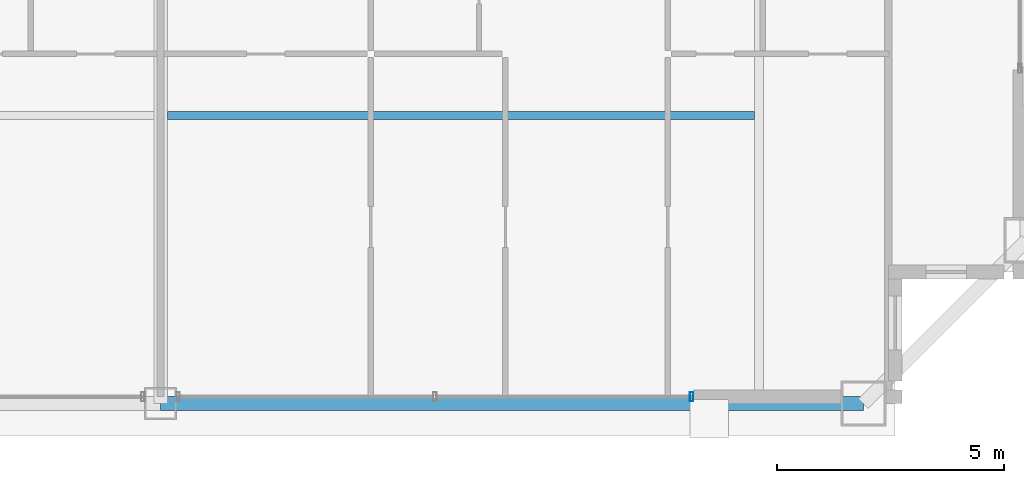
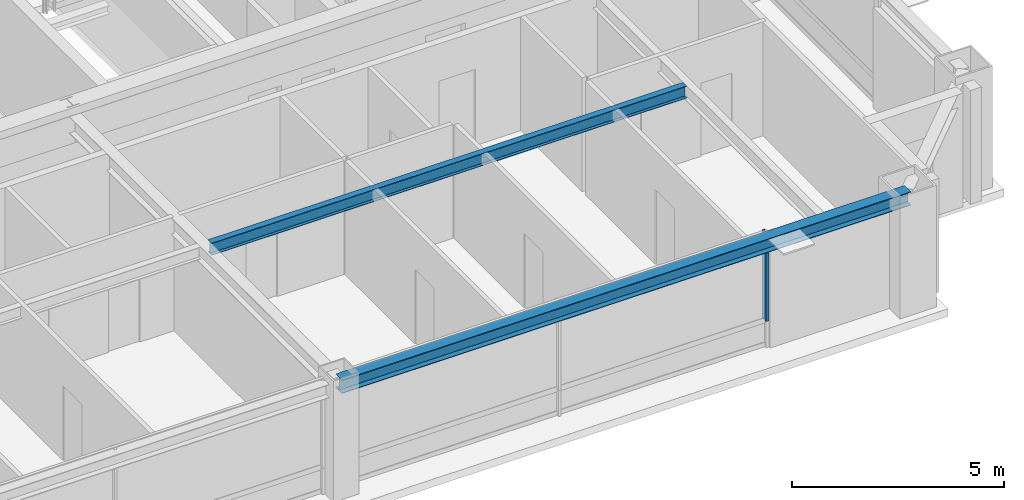
# One storey, part 9 of 34: 2 beams, 1 member, 1 element without a shape of its own.
"""IFC4 building model written with IfcOpenShell, lengths in metres."""

from ifc_helpers import new_model, si_unit, direction, frame, origin, origin_2d, place, context, subcontext, project, spatial, hollow_rectangle, i_section, extrude, source, transform, mapped, material, layer, layer_set, material_profile, profile_set, type_object, element, aggregate, save


model = new_model("IFC4")

# Units and contexts
model_context = context("Model", 3, precision=1e-05, world=origin(), true_north=direction((0.0, 1.0)))
body_context = subcontext(model_context, "Body", "Model", "MODEL_VIEW")
ifc_project = project(units=[si_unit("LENGTHUNIT", "METRE"), si_unit("AREAUNIT", "SQUARE_METRE"), si_unit("VOLUMEUNIT", "CUBIC_METRE"), si_unit("PLANEANGLEUNIT", "RADIAN"), si_unit("MASSUNIT", "GRAM", prefix="KILO"), si_unit("THERMODYNAMICTEMPERATUREUNIT", "KELVIN"), si_unit("POWERUNIT", "WATT")], contexts=[model_context])

# Site, building, storey
site_placement = place(None, origin())
site = spatial("IfcSite", under=ifc_project, at=site_placement, CompositionType="ELEMENT")
building_placement = place(site_placement, origin())
building = spatial("IfcBuilding", under=site, at=building_placement, Name="Yuzanri Waterfront Tower", CompositionType="ELEMENT")
storey_placement = place(building_placement, frame((0.0, 0.0, 325.199951171875)))
storey = spatial("IfcBuildingStorey", under=building, at=storey_placement, Name="L87", CompositionType="ELEMENT", Elevation=325.199951171875)

# Beams
ifc_material_1 = material(Name="Steel Q355B", Category="steel")
ifc_material_profile_1 = material_profile(ifc_material_1, i_section(OverallWidth=0.175048828125, OverallDepth=0.35009765625, WebThickness=0.007080078125, FlangeThickness=0.010986328125, at=origin_2d()), Name="HN 350x175x7x11")
ifc_profile_set_1 = profile_set([ifc_material_profile_1], Name="Steel Q355B")
beam_type_1 = type_object("IfcBeamType", Name="Floor Joist Q355B HN 350x175", PredefinedType="JOIST", material=ifc_profile_set_1)
shared_shape_1 = source(origin(), body_context, "Body", "SweptSolid", [
    extrude(i_section(OverallWidth=0.175048828125, OverallDepth=0.35009765625, WebThickness=0.007080078125, FlangeThickness=0.010986328125, at=origin_2d()), origin(), (0.0, 0.0, 1.0), 12.9501953125),
])
beam_1_placement = place(storey_placement, frame((37.14990234375, 13.050048828125, 3.10498046875), z_axis=(1.0, 0.0, 0.0), x_axis=(0.0, 1.0, 0.0)))
element("IfcBeam", 1, at=beam_1_placement, inside=storey, type_object=beam_type_1, Name="L87 South Bay Joist E", PredefinedType="JOIST", context=body_context, shape_type="MappedRepresentation", body=[
    mapped(shared_shape_1, transform((0.0, 0.0, 0.0), scale=1.0)),
])
ifc_material_2 = material(Name="Steel Q355B", Category="steel")
ifc_material_profile_2 = material_profile(ifc_material_2, i_section(OverallWidth=0.300048828125, OverallDepth=0.389892578125, WebThickness=0.010009765625, FlangeThickness=0.01611328125, at=origin_2d()), Name="HM 390x300x10x16")
ifc_profile_set_2 = profile_set([ifc_material_profile_2], Name="Steel Q355B")
beam_type_2 = type_object("IfcBeamType", Name="Perimeter Spandrel Q355B HM 390x300", PredefinedType="SPANDREL", material=ifc_profile_set_2)
shared_shape_2 = source(origin(), body_context, "Body", "SweptSolid", [
    extrude(i_section(OverallWidth=0.300048828125, OverallDepth=0.389892578125, WebThickness=0.010009765625, FlangeThickness=0.01611328125, at=origin_2d()), origin(), (0.0, 0.0, 1.0), 15.5),
])
beam_2_placement = place(storey_placement, frame((37.0, 6.699951171875, 3.0849609375), z_axis=(1.0, 0.0, 0.0), x_axis=(0.0, 1.0, 0.0)))
element("IfcBeam", 2, at=beam_2_placement, inside=storey, type_object=beam_type_2, Name="L87 Perimeter Spandrel S2-S3", PredefinedType="SPANDREL", context=body_context, shape_type="MappedRepresentation", body=[
    mapped(shared_shape_2, transform((0.0, 0.0, 0.0), scale=1.0)),
])

# Curtain wall, member
ifc_material_3 = material(Name="Anodized Architectural Bronze", Category="metal")
ifc_layer = layer(ifc_material_3, 0.159912109375)
ifc_layer_set = layer_set([ifc_layer], Name="Anodized Architectural Bronze")
curtain_wall_type = type_object("IfcCurtainWallType", Name="Anodized Bronze High-Rise Penthouse High-Wind Unitized Curtain Wall 6900", PredefinedType="NOTDEFINED", material=ifc_layer_set)
curtain_wall_placement = place(storey_placement, origin())
curtain_wall = element("IfcCurtainWall", 3, at=curtain_wall_placement, inside=storey, type_object=curtain_wall_type, Name="L87 Curtain Wall CW-L87-SR", PredefinedType="NOTDEFINED")
ifc_material_4 = material(Name="Anodized Architectural Bronze", Category="metal")
ifc_material_profile_3 = material_profile(ifc_material_4, hollow_rectangle(XDim=0.074951171875, YDim=0.199951171875, WallThickness=0.00390625, at=origin_2d()), Name="CWM 75x200")
ifc_profile_set_3 = profile_set([ifc_material_profile_3], Name="Anodized Architectural Bronze")
member_type = type_object("IfcMemberType", Name="Anodized Bronze Primary Curtain-Wall Mullion 75x200", PredefinedType="MULLION", material=ifc_profile_set_3)
shared_shape_3 = source(origin(), body_context, "Body", "SweptSolid", [
    extrude(hollow_rectangle(XDim=0.074951171875, YDim=0.199951171875, WallThickness=0.00390625, at=origin_2d()), origin(), (0.0, 0.0, 1.0), 2.52392578125),
])
member_placement = place(storey_placement, frame((48.7099609375, 6.85009765625, 0.756103515625), z_axis=(0.0, 0.0, 1.0), x_axis=(1.0, 0.0, 0.0)))
member = element("IfcMember", 4, at=member_placement, type_object=member_type, Name="CW-L87-SR Upper Mullion 02", PredefinedType="MULLION", context=body_context, shape_type="MappedRepresentation", body=[
    mapped(shared_shape_3, transform((0.0, 0.0, 0.0), scale=1.0)),
])
aggregate(curtain_wall, [member])

save(model, "model.ifc")
